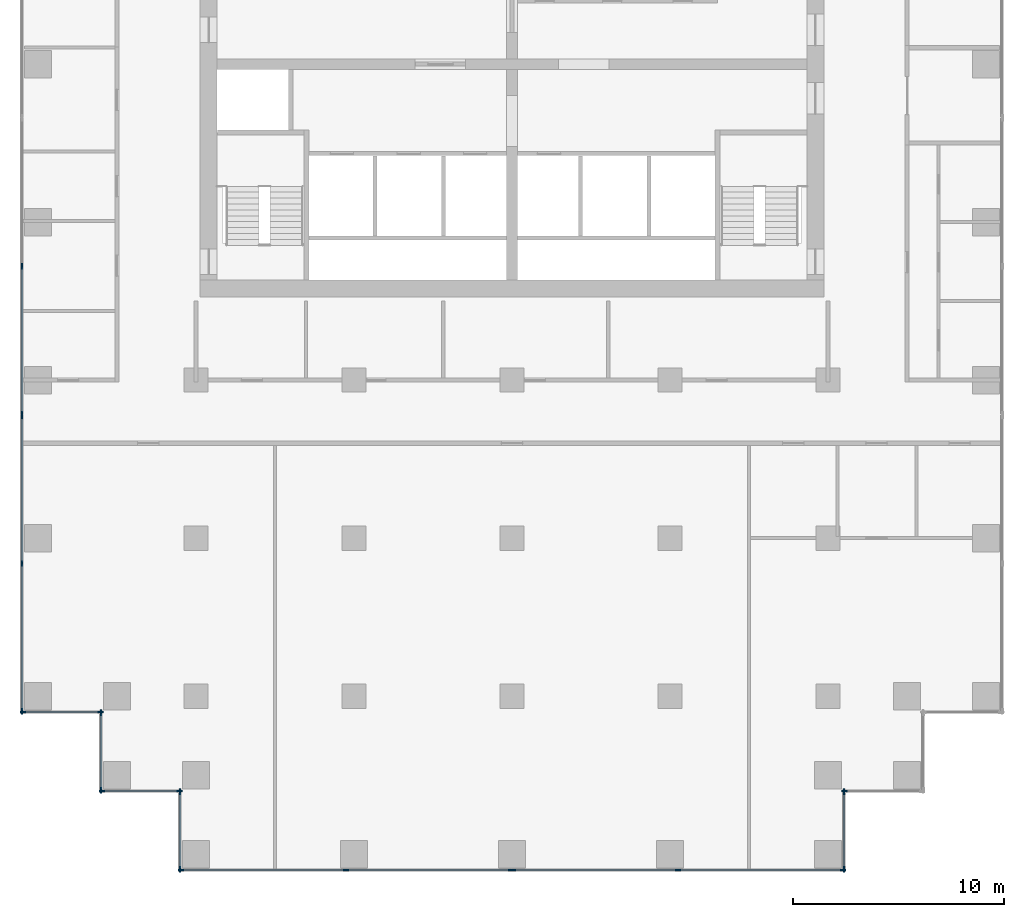
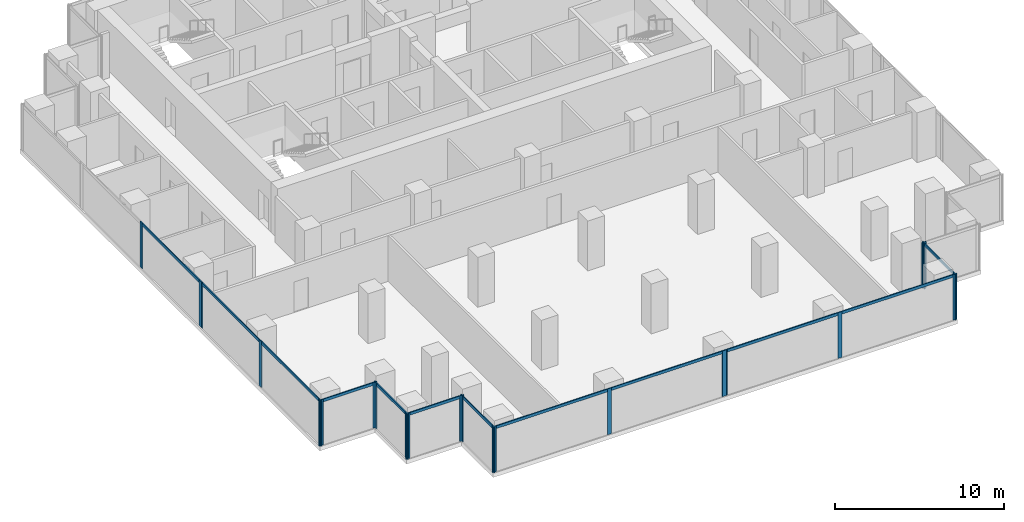
# One storey, part 2 of 10: 34 members, 10 elements without a shape of their own.
"""IFC4 building model written with IfcOpenShell, lengths in metres."""

from ifc_helpers import new_model, si_unit, direction, frame, origin, origin_2d, place, context, subcontext, project, spatial, rectangle, extrude, material, material_profile, profile_set, type_object, element, aggregate, save


model = new_model("IFC4")

# Units and contexts
model_context = context("Model", 3, precision=1e-05, world=origin(), true_north=direction((0.0, 1.0)))
body_context = subcontext(model_context, "Body", "Model", "MODEL_VIEW")
ifc_project = project(units=[si_unit("LENGTHUNIT", "METRE"), si_unit("AREAUNIT", "SQUARE_METRE"), si_unit("VOLUMEUNIT", "CUBIC_METRE"), si_unit("PLANEANGLEUNIT", "RADIAN"), si_unit("MASSUNIT", "GRAM", prefix="KILO")], contexts=[model_context])

# Site, building, storey
site_placement = place(None, origin())
site = spatial("IfcSite", under=ifc_project, at=site_placement, CompositionType="ELEMENT")
building_placement = place(site_placement, origin())
building = spatial("IfcBuilding", under=site, at=building_placement, Name="Pilkhan Gate Tower", CompositionType="ELEMENT")
storey_placement = place(building_placement, frame((0.0, 0.0, 110.800048828125)))
storey = spatial("IfcBuildingStorey", under=building, at=storey_placement, Name="L27", CompositionType="ELEMENT", Elevation=110.800048828125)

# Curtain wall, members
ifc_material_1 = material(Name="Pale anodised aluminium, clear low-iron double glazing", Category="aluminium")
curtain_wall_type = type_object("IfcCurtainWallType", Name="Office unitised curtain wall CW-O1", PredefinedType="USERDEFINED", material=ifc_material_1)
curtain_wall_1_placement = place(storey_placement, origin())
curtain_wall_1 = element("IfcCurtainWall", 1, at=curtain_wall_1_placement, inside=storey, type_object=curtain_wall_type, Name="Office unitised curtain wall CW-O1 L27 W", ObjectType="UNITISED CURTAIN WALL", PredefinedType="USERDEFINED")
ifc_material_2 = material(Name="Pale anodised aluminium", Category="aluminium")
ifc_material_profile_1 = material_profile(ifc_material_2, rectangle(XDim=0.070068359375, YDim=0.27490234375, at=origin_2d()), Name="Mullion 275x70")
ifc_profile_set_1 = profile_set([ifc_material_profile_1], Name="Pale anodised aluminium")
member_type_1 = type_object("IfcMemberType", Name="Mullion CW-O1 275x70", PredefinedType="MULLION", material=ifc_profile_set_1)
member_1_placement = place(storey_placement, frame((51.75, 51.784912109375, 0.0), z_axis=(0.0, 0.0, 1.0), x_axis=(-1.0, 0.0, 0.0)))
member_1 = element("IfcMember", 2, at=member_1_placement, type_object=member_type_1, Name="CW-O1 mullion 1", PredefinedType="MULLION", context=body_context, shape_type="SweptSolid", body=[
    extrude(rectangle(XDim=0.070068359375, YDim=0.27490234375, at=origin_2d()), origin(), (0.0, 0.0, 1.0), 3.300048828125),
])
member_2_placement = place(storey_placement, frame((51.75, 58.800048828125, 0.0), z_axis=(0.0, 0.0, 1.0), x_axis=(-1.0, 0.0, 0.0)))
member_2 = element("IfcMember", 3, at=member_2_placement, type_object=member_type_1, Name="CW-O1 mullion 2", PredefinedType="MULLION", context=body_context, shape_type="SweptSolid", body=[
    extrude(rectangle(XDim=0.070068359375, YDim=0.27490234375, at=origin_2d()), origin(), (0.0, 0.0, 1.0), 3.300048828125),
])
member_3_placement = place(storey_placement, frame((51.75, 65.81494140625, 0.0), z_axis=(0.0, 0.0, 1.0), x_axis=(-1.0, 0.0, 0.0)))
member_3 = element("IfcMember", 4, at=member_3_placement, type_object=member_type_1, Name="CW-O1 mullion 3", PredefinedType="MULLION", context=body_context, shape_type="SweptSolid", body=[
    extrude(rectangle(XDim=0.070068359375, YDim=0.27490234375, at=origin_2d()), origin(), (0.0, 0.0, 1.0), 3.300048828125),
])

curtain_wall_2_placement = place(storey_placement, origin())
curtain_wall_2 = element("IfcCurtainWall", 5, at=curtain_wall_2_placement, inside=storey, type_object=curtain_wall_type, Name="Office unitised curtain wall CW-O1 L27 W", ObjectType="UNITISED CURTAIN WALL", PredefinedType="USERDEFINED")
member_4_placement = place(storey_placement, frame((51.75, 65.885009765625, 0.0), z_axis=(0.0, 0.0, 1.0), x_axis=(-1.0, 0.0, 0.0)))
member_4 = element("IfcMember", 6, at=member_4_placement, type_object=member_type_1, Name="CW-O1 mullion 1", PredefinedType="MULLION", context=body_context, shape_type="SweptSolid", body=[
    extrude(rectangle(XDim=0.070068359375, YDim=0.27490234375, at=origin_2d()), origin(), (0.0, 0.0, 1.0), 3.300048828125),
])
member_5_placement = place(storey_placement, frame((51.75, 72.89990234375, 0.0), z_axis=(0.0, 0.0, 1.0), x_axis=(-1.0, 0.0, 0.0)))
member_5 = element("IfcMember", 7, at=member_5_placement, type_object=member_type_1, Name="CW-O1 mullion 2", PredefinedType="MULLION", context=body_context, shape_type="SweptSolid", body=[
    extrude(rectangle(XDim=0.070068359375, YDim=0.27490234375, at=origin_2d()), origin(), (0.0, 0.0, 1.0), 3.300048828125),
])

curtain_wall_3_placement = place(storey_placement, origin())
curtain_wall_3 = element("IfcCurtainWall", 8, at=curtain_wall_3_placement, inside=storey, type_object=curtain_wall_type, Name="Office unitised curtain wall CW-O1 L27 S", ObjectType="UNITISED CURTAIN WALL", PredefinedType="USERDEFINED")
member_6_placement = place(storey_placement, frame((51.784912109375, 51.75, 0.0), z_axis=(0.0, 0.0, 1.0), x_axis=(0.0, 1.0, 0.0)))
member_6 = element("IfcMember", 9, at=member_6_placement, type_object=member_type_1, Name="CW-O1 mullion 1", PredefinedType="MULLION", context=body_context, shape_type="SweptSolid", body=[
    extrude(rectangle(XDim=0.070068359375, YDim=0.27490234375, at=origin_2d()), origin(), (0.0, 0.0, 1.0), 3.300048828125),
])
member_7_placement = place(storey_placement, frame((55.465087890625, 51.75, 0.0), z_axis=(0.0, 0.0, 1.0), x_axis=(0.0, 1.0, 0.0)))
member_7 = element("IfcMember", 10, at=member_7_placement, type_object=member_type_1, Name="CW-O1 mullion 2", PredefinedType="MULLION", context=body_context, shape_type="SweptSolid", body=[
    extrude(rectangle(XDim=0.070068359375, YDim=0.27490234375, at=origin_2d()), origin(), (0.0, 0.0, 1.0), 3.300048828125),
])

curtain_wall_4_placement = place(storey_placement, origin())
curtain_wall_4 = element("IfcCurtainWall", 11, at=curtain_wall_4_placement, inside=storey, type_object=curtain_wall_type, Name="Office unitised curtain wall CW-O1 L27 W", ObjectType="UNITISED CURTAIN WALL", PredefinedType="USERDEFINED")
member_8_placement = place(storey_placement, frame((55.5, 48.034912109375, 0.0), z_axis=(0.0, 0.0, 1.0), x_axis=(-1.0, 0.0, 0.0)))
member_8 = element("IfcMember", 12, at=member_8_placement, type_object=member_type_1, Name="CW-O1 mullion 1", PredefinedType="MULLION", context=body_context, shape_type="SweptSolid", body=[
    extrude(rectangle(XDim=0.070068359375, YDim=0.27490234375, at=origin_2d()), origin(), (0.0, 0.0, 1.0), 3.300048828125),
])
member_9_placement = place(storey_placement, frame((55.5, 51.715087890625, 0.0), z_axis=(0.0, 0.0, 1.0), x_axis=(-1.0, 0.0, 0.0)))
member_9 = element("IfcMember", 13, at=member_9_placement, type_object=member_type_1, Name="CW-O1 mullion 2", PredefinedType="MULLION", context=body_context, shape_type="SweptSolid", body=[
    extrude(rectangle(XDim=0.070068359375, YDim=0.27490234375, at=origin_2d()), origin(), (0.0, 0.0, 1.0), 3.300048828125),
])

curtain_wall_5_placement = place(storey_placement, origin())
curtain_wall_5 = element("IfcCurtainWall", 14, at=curtain_wall_5_placement, inside=storey, type_object=curtain_wall_type, Name="Office unitised curtain wall CW-O1 L27 S", ObjectType="UNITISED CURTAIN WALL", PredefinedType="USERDEFINED")
member_10_placement = place(storey_placement, frame((55.534912109375, 48.0, 0.0), z_axis=(0.0, 0.0, 1.0), x_axis=(0.0, 1.0, 0.0)))
member_10 = element("IfcMember", 15, at=member_10_placement, type_object=member_type_1, Name="CW-O1 mullion 1", PredefinedType="MULLION", context=body_context, shape_type="SweptSolid", body=[
    extrude(rectangle(XDim=0.070068359375, YDim=0.27490234375, at=origin_2d()), origin(), (0.0, 0.0, 1.0), 3.300048828125),
])
member_11_placement = place(storey_placement, frame((59.215087890625, 48.0, 0.0), z_axis=(0.0, 0.0, 1.0), x_axis=(0.0, 1.0, 0.0)))
member_11 = element("IfcMember", 16, at=member_11_placement, type_object=member_type_1, Name="CW-O1 mullion 2", PredefinedType="MULLION", context=body_context, shape_type="SweptSolid", body=[
    extrude(rectangle(XDim=0.070068359375, YDim=0.27490234375, at=origin_2d()), origin(), (0.0, 0.0, 1.0), 3.300048828125),
])

curtain_wall_6_placement = place(storey_placement, origin())
curtain_wall_6 = element("IfcCurtainWall", 17, at=curtain_wall_6_placement, inside=storey, type_object=curtain_wall_type, Name="Office unitised curtain wall CW-O1 L27 W", ObjectType="UNITISED CURTAIN WALL", PredefinedType="USERDEFINED")
member_12_placement = place(storey_placement, frame((59.25, 44.284912109375, 0.0), z_axis=(0.0, 0.0, 1.0), x_axis=(-1.0, 0.0, 0.0)))
member_12 = element("IfcMember", 18, at=member_12_placement, type_object=member_type_1, Name="CW-O1 mullion 1", PredefinedType="MULLION", context=body_context, shape_type="SweptSolid", body=[
    extrude(rectangle(XDim=0.070068359375, YDim=0.27490234375, at=origin_2d()), origin(), (0.0, 0.0, 1.0), 3.300048828125),
])
member_13_placement = place(storey_placement, frame((59.25, 47.965087890625, 0.0), z_axis=(0.0, 0.0, 1.0), x_axis=(-1.0, 0.0, 0.0)))
member_13 = element("IfcMember", 19, at=member_13_placement, type_object=member_type_1, Name="CW-O1 mullion 2", PredefinedType="MULLION", context=body_context, shape_type="SweptSolid", body=[
    extrude(rectangle(XDim=0.070068359375, YDim=0.27490234375, at=origin_2d()), origin(), (0.0, 0.0, 1.0), 3.300048828125),
])

curtain_wall_7_placement = place(storey_placement, origin())
curtain_wall_7 = element("IfcCurtainWall", 20, at=curtain_wall_7_placement, inside=storey, type_object=curtain_wall_type, Name="Office unitised curtain wall CW-O1 L27 S", ObjectType="UNITISED CURTAIN WALL", PredefinedType="USERDEFINED")
member_14_placement = place(storey_placement, frame((59.284912109375, 44.25, 0.0), z_axis=(0.0, 0.0, 1.0), x_axis=(0.0, 1.0, 0.0)))
member_14 = element("IfcMember", 21, at=member_14_placement, type_object=member_type_1, Name="CW-O1 mullion 1", PredefinedType="MULLION", context=body_context, shape_type="SweptSolid", body=[
    extrude(rectangle(XDim=0.070068359375, YDim=0.27490234375, at=origin_2d()), origin(), (0.0, 0.0, 1.0), 3.300048828125),
])
member_15_placement = place(storey_placement, frame((67.125, 44.25, 0.0), z_axis=(0.0, 0.0, 1.0), x_axis=(0.0, 1.0, 0.0)))
member_15 = element("IfcMember", 22, at=member_15_placement, type_object=member_type_1, Name="CW-O1 mullion 2", PredefinedType="MULLION", context=body_context, shape_type="SweptSolid", body=[
    extrude(rectangle(XDim=0.070068359375, YDim=0.27490234375, at=origin_2d()), origin(), (0.0, 0.0, 1.0), 3.300048828125),
])
member_16_placement = place(storey_placement, frame((74.965087890625, 44.25, 0.0), z_axis=(0.0, 0.0, 1.0), x_axis=(0.0, 1.0, 0.0)))
member_16 = element("IfcMember", 23, at=member_16_placement, type_object=member_type_1, Name="CW-O1 mullion 3", PredefinedType="MULLION", context=body_context, shape_type="SweptSolid", body=[
    extrude(rectangle(XDim=0.070068359375, YDim=0.27490234375, at=origin_2d()), origin(), (0.0, 0.0, 1.0), 3.300048828125),
])

curtain_wall_8_placement = place(storey_placement, origin())
curtain_wall_8 = element("IfcCurtainWall", 24, at=curtain_wall_8_placement, inside=storey, type_object=curtain_wall_type, Name="Office unitised curtain wall CW-O1 L27 S", ObjectType="UNITISED CURTAIN WALL", PredefinedType="USERDEFINED")
member_17_placement = place(storey_placement, frame((75.034912109375, 44.25, 0.0), z_axis=(0.0, 0.0, 1.0), x_axis=(0.0, 1.0, 0.0)))
member_17 = element("IfcMember", 25, at=member_17_placement, type_object=member_type_1, Name="CW-O1 mullion 1", PredefinedType="MULLION", context=body_context, shape_type="SweptSolid", body=[
    extrude(rectangle(XDim=0.070068359375, YDim=0.27490234375, at=origin_2d()), origin(), (0.0, 0.0, 1.0), 3.300048828125),
])
member_18_placement = place(storey_placement, frame((82.875, 44.25, 0.0), z_axis=(0.0, 0.0, 1.0), x_axis=(0.0, 1.0, 0.0)))
member_18 = element("IfcMember", 26, at=member_18_placement, type_object=member_type_1, Name="CW-O1 mullion 2", PredefinedType="MULLION", context=body_context, shape_type="SweptSolid", body=[
    extrude(rectangle(XDim=0.070068359375, YDim=0.27490234375, at=origin_2d()), origin(), (0.0, 0.0, 1.0), 3.300048828125),
])
member_19_placement = place(storey_placement, frame((90.715087890625, 44.25, 0.0), z_axis=(0.0, 0.0, 1.0), x_axis=(0.0, 1.0, 0.0)))
member_19 = element("IfcMember", 27, at=member_19_placement, type_object=member_type_1, Name="CW-O1 mullion 3", PredefinedType="MULLION", context=body_context, shape_type="SweptSolid", body=[
    extrude(rectangle(XDim=0.070068359375, YDim=0.27490234375, at=origin_2d()), origin(), (0.0, 0.0, 1.0), 3.300048828125),
])

curtain_wall_9_placement = place(storey_placement, origin())
curtain_wall_9 = element("IfcCurtainWall", 28, at=curtain_wall_9_placement, inside=storey, type_object=curtain_wall_type, Name="Office unitised curtain wall CW-O1 L27 E", ObjectType="UNITISED CURTAIN WALL", PredefinedType="USERDEFINED")
member_20_placement = place(storey_placement, frame((90.75, 44.284912109375, 0.0), z_axis=(0.0, 0.0, 1.0), x_axis=(-1.0, 0.0, 0.0)))
member_20 = element("IfcMember", 29, at=member_20_placement, type_object=member_type_1, Name="CW-O1 mullion 1", PredefinedType="MULLION", context=body_context, shape_type="SweptSolid", body=[
    extrude(rectangle(XDim=0.070068359375, YDim=0.27490234375, at=origin_2d()), origin(), (0.0, 0.0, 1.0), 3.300048828125),
])
member_21_placement = place(storey_placement, frame((90.75, 47.965087890625, 0.0), z_axis=(0.0, 0.0, 1.0), x_axis=(-1.0, 0.0, 0.0)))
member_21 = element("IfcMember", 30, at=member_21_placement, type_object=member_type_1, Name="CW-O1 mullion 2", PredefinedType="MULLION", context=body_context, shape_type="SweptSolid", body=[
    extrude(rectangle(XDim=0.070068359375, YDim=0.27490234375, at=origin_2d()), origin(), (0.0, 0.0, 1.0), 3.300048828125),
])

# Curtain wall, member
curtain_wall_10_placement = place(storey_placement, origin())
curtain_wall_10 = element("IfcCurtainWall", 31, at=curtain_wall_10_placement, inside=storey, type_object=curtain_wall_type, Name="Office unitised curtain wall CW-O1 L27 S", ObjectType="UNITISED CURTAIN WALL", PredefinedType="USERDEFINED")
member_22_placement = place(storey_placement, frame((90.784912109375, 48.0, 0.0), z_axis=(0.0, 0.0, 1.0), x_axis=(0.0, 1.0, 0.0)))
member_22 = element("IfcMember", 32, at=member_22_placement, type_object=member_type_1, Name="CW-O1 mullion 1", PredefinedType="MULLION", context=body_context, shape_type="SweptSolid", body=[
    extrude(rectangle(XDim=0.070068359375, YDim=0.27490234375, at=origin_2d()), origin(), (0.0, 0.0, 1.0), 3.300048828125),
])
aggregate(curtain_wall_10, [member_22])

# Member
ifc_material_profile_2 = material_profile(ifc_material_2, rectangle(XDim=0.070068359375, YDim=0.199951171875, at=origin_2d()), Name="Transom 200x70")
ifc_profile_set_2 = profile_set([ifc_material_profile_2], Name="Pale anodised aluminium")
member_type_2 = type_object("IfcMemberType", Name="Transom CW-O1 200x70", PredefinedType="USERDEFINED", material=ifc_profile_set_2)
member_23_placement = place(storey_placement, frame((51.75, 51.820068359375, 3.199951171875), z_axis=(0.0, 1.0, 0.0), x_axis=(-1.0, 0.0, 0.0)))
member_23 = element("IfcMember", 33, at=member_23_placement, type_object=member_type_2, Name="CW-O1 transom 1", ObjectType="TRANSOM", PredefinedType="USERDEFINED", context=body_context, shape_type="SweptSolid", body=[
    extrude(rectangle(XDim=0.070068359375, YDim=0.199951171875, at=origin_2d()), origin(), (0.0, 0.0, 1.0), 6.94482421875),
])

member_24_placement = place(storey_placement, frame((51.75, 58.8349609375, 3.199951171875), z_axis=(0.0, 1.0, 0.0), x_axis=(-1.0, 0.0, 0.0)))
member_24 = element("IfcMember", 34, at=member_24_placement, type_object=member_type_2, Name="CW-O1 transom 2", ObjectType="TRANSOM", PredefinedType="USERDEFINED", context=body_context, shape_type="SweptSolid", body=[
    extrude(rectangle(XDim=0.070068359375, YDim=0.199951171875, at=origin_2d()), origin(), (0.0, 0.0, 1.0), 6.945068359375),
])

aggregate(curtain_wall_1, [member_1, member_2, member_3, member_23, member_24])

member_25_placement = place(storey_placement, frame((51.75, 65.919921875, 3.199951171875), z_axis=(0.0, 1.0, 0.0), x_axis=(-1.0, 0.0, 0.0)))
member_25 = element("IfcMember", 35, at=member_25_placement, type_object=member_type_2, Name="CW-O1 transom 1", ObjectType="TRANSOM", PredefinedType="USERDEFINED", context=body_context, shape_type="SweptSolid", body=[
    extrude(rectangle(XDim=0.070068359375, YDim=0.199951171875, at=origin_2d()), origin(), (0.0, 0.0, 1.0), 6.945068359375),
])

aggregate(curtain_wall_2, [member_4, member_5, member_25])

member_26_placement = place(storey_placement, frame((51.820068359375, 51.75, 3.199951171875), z_axis=(1.0, 0.0, 0.0), x_axis=(0.0, 1.0, 0.0)))
member_26 = element("IfcMember", 36, at=member_26_placement, type_object=member_type_2, Name="CW-O1 transom 1", ObjectType="TRANSOM", PredefinedType="USERDEFINED", context=body_context, shape_type="SweptSolid", body=[
    extrude(rectangle(XDim=0.070068359375, YDim=0.199951171875, at=origin_2d()), origin(), (0.0, 0.0, 1.0), 3.60986328125),
])

aggregate(curtain_wall_3, [member_6, member_7, member_26])

member_27_placement = place(storey_placement, frame((55.5, 48.070068359375, 3.199951171875), z_axis=(0.0, 1.0, 0.0), x_axis=(-1.0, 0.0, 0.0)))
member_27 = element("IfcMember", 37, at=member_27_placement, type_object=member_type_2, Name="CW-O1 transom 1", ObjectType="TRANSOM", PredefinedType="USERDEFINED", context=body_context, shape_type="SweptSolid", body=[
    extrude(rectangle(XDim=0.070068359375, YDim=0.199951171875, at=origin_2d()), origin(), (0.0, 0.0, 1.0), 3.60986328125),
])

aggregate(curtain_wall_4, [member_8, member_9, member_27])

member_28_placement = place(storey_placement, frame((55.570068359375, 48.0, 3.199951171875), z_axis=(1.0, 0.0, 0.0), x_axis=(0.0, 1.0, 0.0)))
member_28 = element("IfcMember", 38, at=member_28_placement, type_object=member_type_2, Name="CW-O1 transom 1", ObjectType="TRANSOM", PredefinedType="USERDEFINED", context=body_context, shape_type="SweptSolid", body=[
    extrude(rectangle(XDim=0.070068359375, YDim=0.199951171875, at=origin_2d()), origin(), (0.0, 0.0, 1.0), 3.60986328125),
])

aggregate(curtain_wall_5, [member_10, member_11, member_28])

member_29_placement = place(storey_placement, frame((59.25, 44.320068359375, 3.199951171875), z_axis=(0.0, 1.0, 0.0), x_axis=(-1.0, 0.0, 0.0)))
member_29 = element("IfcMember", 39, at=member_29_placement, type_object=member_type_2, Name="CW-O1 transom 1", ObjectType="TRANSOM", PredefinedType="USERDEFINED", context=body_context, shape_type="SweptSolid", body=[
    extrude(rectangle(XDim=0.070068359375, YDim=0.199951171875, at=origin_2d()), origin(), (0.0, 0.0, 1.0), 3.60986328125),
])

aggregate(curtain_wall_6, [member_12, member_13, member_29])

member_30_placement = place(storey_placement, frame((59.320068359375, 44.25, 3.199951171875), z_axis=(1.0, 0.0, 0.0), x_axis=(0.0, 1.0, 0.0)))
member_30 = element("IfcMember", 40, at=member_30_placement, type_object=member_type_2, Name="CW-O1 transom 1", ObjectType="TRANSOM", PredefinedType="USERDEFINED", context=body_context, shape_type="SweptSolid", body=[
    extrude(rectangle(XDim=0.070068359375, YDim=0.199951171875, at=origin_2d()), origin(), (0.0, 0.0, 1.0), 7.77001953125),
])

member_31_placement = place(storey_placement, frame((67.159912109375, 44.25, 3.199951171875), z_axis=(1.0, 0.0, 0.0), x_axis=(0.0, 1.0, 0.0)))
member_31 = element("IfcMember", 41, at=member_31_placement, type_object=member_type_2, Name="CW-O1 transom 2", ObjectType="TRANSOM", PredefinedType="USERDEFINED", context=body_context, shape_type="SweptSolid", body=[
    extrude(rectangle(XDim=0.070068359375, YDim=0.199951171875, at=origin_2d()), origin(), (0.0, 0.0, 1.0), 7.77001953125),
])

aggregate(curtain_wall_7, [member_14, member_15, member_16, member_30, member_31])

member_32_placement = place(storey_placement, frame((75.070068359375, 44.25, 3.199951171875), z_axis=(1.0, 0.0, 0.0), x_axis=(0.0, 1.0, 0.0)))
member_32 = element("IfcMember", 42, at=member_32_placement, type_object=member_type_2, Name="CW-O1 transom 1", ObjectType="TRANSOM", PredefinedType="USERDEFINED", context=body_context, shape_type="SweptSolid", body=[
    extrude(rectangle(XDim=0.070068359375, YDim=0.199951171875, at=origin_2d()), origin(), (0.0, 0.0, 1.0), 7.77001953125),
])

member_33_placement = place(storey_placement, frame((82.909912109375, 44.25, 3.199951171875), z_axis=(1.0, 0.0, 0.0), x_axis=(0.0, 1.0, 0.0)))
member_33 = element("IfcMember", 43, at=member_33_placement, type_object=member_type_2, Name="CW-O1 transom 2", ObjectType="TRANSOM", PredefinedType="USERDEFINED", context=body_context, shape_type="SweptSolid", body=[
    extrude(rectangle(XDim=0.070068359375, YDim=0.199951171875, at=origin_2d()), origin(), (0.0, 0.0, 1.0), 7.77001953125),
])

aggregate(curtain_wall_8, [member_17, member_18, member_19, member_32, member_33])

member_34_placement = place(storey_placement, frame((90.75, 44.320068359375, 3.199951171875), z_axis=(0.0, 1.0, 0.0), x_axis=(-1.0, 0.0, 0.0)))
member_34 = element("IfcMember", 44, at=member_34_placement, type_object=member_type_2, Name="CW-O1 transom 1", ObjectType="TRANSOM", PredefinedType="USERDEFINED", context=body_context, shape_type="SweptSolid", body=[
    extrude(rectangle(XDim=0.070068359375, YDim=0.199951171875, at=origin_2d()), origin(), (0.0, 0.0, 1.0), 3.60986328125),
])

aggregate(curtain_wall_9, [member_20, member_21, member_34])

save(model, "model.ifc")
